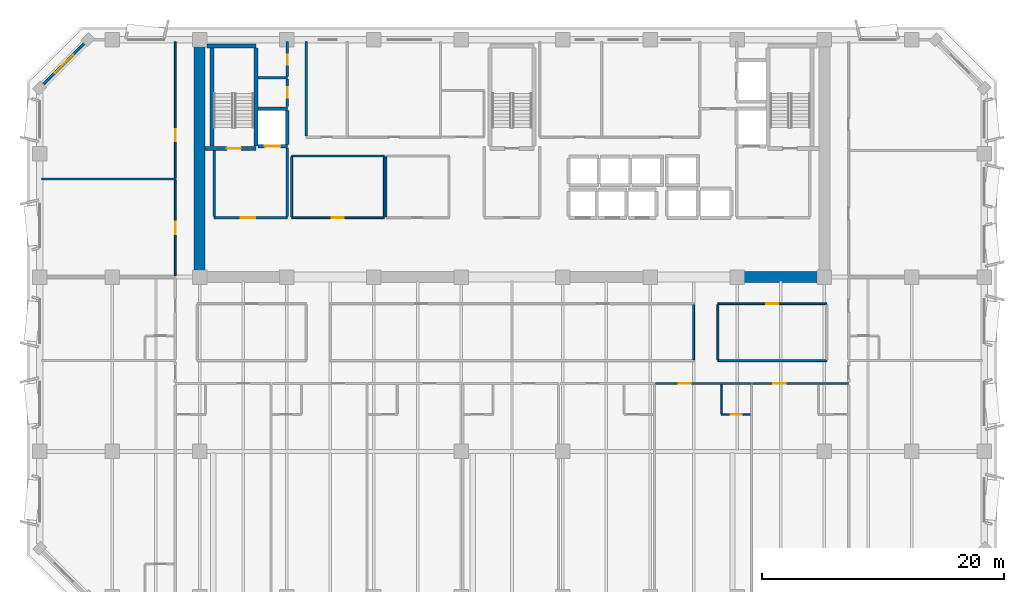
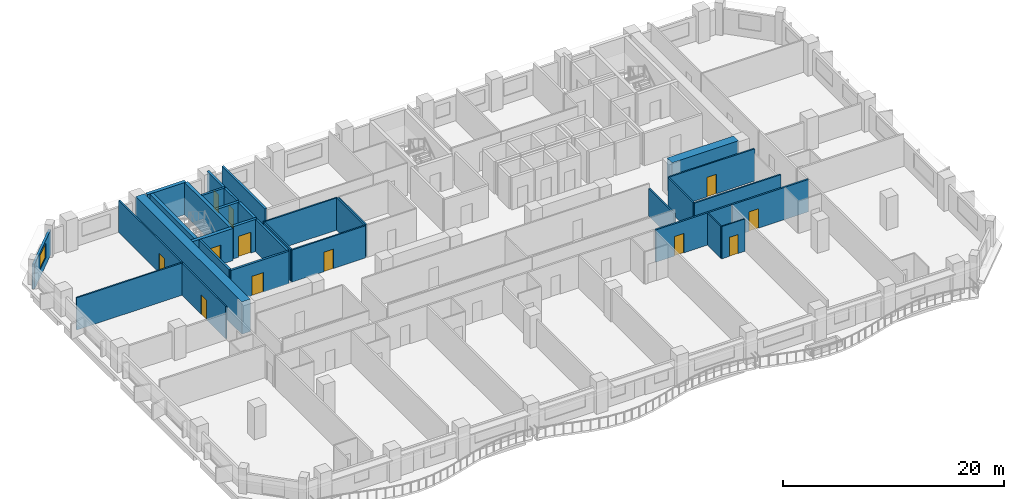
# One storey, part 6 of 15: 33 walls, 12 doors, 1 window, 13 openings.
"""IFC4 building model written with IfcOpenShell, lengths in metres."""

from ifc_helpers import new_model, si_unit, direction, frame, frame_2d, origin, place, context, subcontext, project, spatial, rectangle, extrude, material, layer, layer_set, type_object, element, fill, save


model = new_model("IFC4")

# Units and contexts
model_context = context("Model", 3, precision=1e-05, world=origin(), true_north=direction((0.0, 1.0)))
body_context = subcontext(model_context, "Body", "Model", "MODEL_VIEW")
ifc_project = project(units=[si_unit("LENGTHUNIT", "METRE"), si_unit("AREAUNIT", "SQUARE_METRE"), si_unit("VOLUMEUNIT", "CUBIC_METRE"), si_unit("PLANEANGLEUNIT", "RADIAN"), si_unit("MASSUNIT", "GRAM", prefix="KILO")], contexts=[model_context])

# Site, building, storey
site_placement = place(None, origin())
site = spatial("IfcSite", under=ifc_project, at=site_placement, CompositionType="ELEMENT")
building_placement = place(site_placement, origin())
building = spatial("IfcBuilding", under=site, at=building_placement, Name="Kaelvorn Grand Hotel", CompositionType="ELEMENT")
storey_placement = place(building_placement, frame((0.0, 0.0, 177.14990234375)))
storey = spatial("IfcBuildingStorey", under=building, at=storey_placement, Name="L43", CompositionType="ELEMENT", Elevation=177.14990234375)

# Walls
ifc_material_1 = material(Name="Concrete C60/75", Category="concrete")
ifc_layer_1 = layer(ifc_material_1, 0.89990234375)
ifc_layer_set_1 = layer_set([ifc_layer_1], Name="Concrete C60/75")
wall_type_1 = type_object("IfcWallType", Name="WL-CORE-900-C60", PredefinedType="SHEAR", material=ifc_layer_set_1)
wall_1_placement = place(storey_placement, frame((16.199951171875, 29.39990234375, 0.0), z_axis=(0.0, 0.0, 1.0), x_axis=(0.0, 1.0, 0.0)))
element("IfcWall", 1, at=wall_1_placement, inside=storey, type_object=wall_type_1, Name="L43 Rear-Core West Shear Wall", PredefinedType="SHEAR", context=body_context, shape_type="SweptSolid", body=[
    extrude(rectangle(XDim=19.2001953125, YDim=0.89990234375, at=frame_2d((9.60009765625, 0.0))), origin(), (0.0, 0.0, 1.0), 3.56005859375),
])
wall_2_placement = place(storey_placement, frame((60.39990234375, 29.39990234375, 0.0), z_axis=(0.0, 0.0, 1.0), x_axis=(1.0, 0.0, 0.0)))
element("IfcWall", 2, at=wall_2_placement, inside=storey, type_object=wall_type_1, Name="L43 Rear-Core Coupled Shear Pier S4", PredefinedType="SHEAR", context=body_context, shape_type="SweptSolid", body=[
    extrude(rectangle(XDim=6.945068359375, YDim=0.89990234375, at=frame_2d((3.47265625, 0.0))), origin(), (0.0, 0.0, 1.0), 3.56005859375),
])

# Wall, opening, window
ifc_material_2 = material(Name="Concrete C40/50", Category="concrete")
ifc_layer_2 = layer(ifc_material_2, 0.239990234375)
ifc_layer_set_2 = layer_set([ifc_layer_2], Name="Concrete C40/50")
wall_type_2 = type_object("IfcWallType", Name="WL-EXT-240-C40", PredefinedType="SOLIDWALL", material=ifc_layer_set_2)
wall_3_placement = place(storey_placement, frame((7.0, 49.0, 0.0), z_axis=(0.0, 0.0, 1.0), x_axis=(-0.707106781187, -0.707106781187, 0.0)))
wall_3 = element("IfcWall", 3, at=wall_3_placement, inside=storey, type_object=wall_type_2, Name="L43 Exterior Architectural Concrete Wall 06", PredefinedType="SOLIDWALL", context=body_context, shape_type="SweptSolid", body=[
    extrude(rectangle(XDim=5.65673828125, YDim=0.239990234375, at=frame_2d((2.828369140625, 0.0))), origin(), (0.0, 0.0, 1.0), 2.760009765625),
])
opening_1_placement = place(wall_3_placement, frame((1.7783203125, 0.0, 0.85009765625)))
opening_1 = element("IfcOpeningElement", 4, at=opening_1_placement, cuts=wall_3, Name="Opening W7", PredefinedType="OPENING", context=body_context, shape_type="SweptSolid", body=[
    extrude(rectangle(XDim=2.10009765625, YDim=1.60009765625, at=frame_2d((1.050048828125, 0.800048828125))), frame((0.0, 0.1298828125, 0.0), z_axis=(0.0, -1.0, 0.0), x_axis=(1.0, 0.0, 0.0)), (0.0, 0.0, 1.0), 0.260009765625),
])
ifc_material_3 = material(Name="Laminated Low-E Glass", Category="glass")
window_type = type_object("IfcWindowType", Name="WIN-CHM-2100x1600", PartitioningType="SINGLE_PANEL", PredefinedType="WINDOW", material=ifc_material_3)
window_placement = place(opening_1_placement, origin())
window = element("IfcWindow", 5, at=window_placement, inside=storey, type_object=window_type, Name="L43 Chamfered 45-Degree Corner Window NW", OverallHeight=1.60009765625, OverallWidth=2.10009765625, PartitioningType="SINGLE_PANEL", PredefinedType="WINDOW", context=body_context, shape_type="SweptSolid", body=[
    extrude(rectangle(XDim=2.10009765625, YDim=1.60009765625, at=frame_2d((1.050048828125, 0.800048828125))), frame((0.0, 0.030029296875, 0.0), z_axis=(0.0, -1.0, 0.0), x_axis=(1.0, 0.0, 0.0)), (0.0, 0.0, 1.0), 0.06005859375),
])
fill(opening_1, window)

# Wall, opening, door
ifc_material_4 = material(Name="Moisture-Resistant Tile & Stud Board")
ifc_layer_3 = layer(ifc_material_4, 0.125)
ifc_layer_set_3 = layer_set([ifc_layer_3], Name="Moisture-Resistant Tile & Stud Board")
wall_type_3 = type_object("IfcWallType", Name="WL-PART-125-WET", PredefinedType="PARTITIONING", material=ifc_layer_set_3)
wall_4_placement = place(storey_placement, frame((59.28076171875, 18.050048828125, 0.0), z_axis=(0.0, 0.0, 1.0), x_axis=(1.0, 0.0, 0.0)))
wall_4 = element("IfcWall", 6, at=wall_4_placement, inside=storey, type_object=wall_type_3, Name="L43 En-suite Bathroom L43-06 S Partition", PredefinedType="PARTITIONING", context=body_context, shape_type="SweptSolid", body=[
    extrude(rectangle(XDim=2.405029296875, YDim=0.125, at=frame_2d((1.20263671875, 0.0))), origin(), (0.0, 0.0, 1.0), 3.56005859375),
])
opening_2_placement = place(wall_4_placement, frame((0.800048828125, 0.0, 0.0)))
opening_2 = element("IfcOpeningElement", 7, at=opening_2_placement, cuts=wall_4, Name="Opening DI4", PredefinedType="OPENING", context=body_context, shape_type="SweptSolid", body=[
    extrude(rectangle(XDim=0.89990234375, YDim=2.10009765625, at=frame_2d((0.449951171875, 1.050048828125))), frame((0.0, 0.072509765625, 0.0), z_axis=(0.0, -1.0, 0.0), x_axis=(1.0, 0.0, 0.0)), (0.0, 0.0, 1.0), 0.14501953125),
])
ifc_material_5 = material(Name="Timber Veneer Leaf", Category="wood")
door_type_1 = type_object("IfcDoorType", Name="DR-INT-BATH-900x2100", OperationType="NOTDEFINED", PredefinedType="DOOR", material=ifc_material_5)
door_1_placement = place(opening_2_placement, origin())
door_1 = element("IfcDoor", 8, at=door_1_placement, inside=storey, type_object=door_type_1, Name="L43 En-suite Bathroom L43-06 Door", OperationType="SINGLE_SWING_RIGHT", OverallHeight=2.10009765625, OverallWidth=0.89990234375, PredefinedType="DOOR", context=body_context, shape_type="SweptSolid", body=[
    extrude(rectangle(XDim=0.89990234375, YDim=2.10009765625, at=frame_2d((0.449951171875, 1.050048828125))), frame((0.0, 0.02490234375, 0.0), z_axis=(0.0, -1.0, 0.0), x_axis=(1.0, 0.0, 0.0)), (0.0, 0.0, 1.0), 0.050048828125),
])
fill(opening_2, door_1)

# Walls
wall_5_placement = place(storey_placement, frame((59.28076171875, 18.117431640625, 0.0), z_axis=(0.0, 0.0, 1.0), x_axis=(0.0, 1.0, 0.0)))
element("IfcWall", 9, at=wall_5_placement, inside=storey, type_object=wall_type_3, Name="L43 En-suite Bathroom L43-06 W Partition", PredefinedType="PARTITIONING", context=body_context, shape_type="SweptSolid", body=[
    extrude(rectangle(XDim=2.387451171875, YDim=0.125, at=frame_2d((1.19384765625, 0.0))), origin(), (0.0, 0.0, 1.0), 3.56005859375),
])
ifc_material_6 = material(Name="Acoustic Gypsum & Stud Partition")
ifc_layer_4 = layer(ifc_material_6, 0.14990234375)
ifc_layer_set_4 = layer_set([ifc_layer_4], Name="Acoustic Gypsum & Stud Partition")
wall_type_4 = type_object("IfcWallType", Name="WL-PART-150-EI60", PredefinedType="PARTITIONING", material=ifc_layer_set_4)
wall_6_placement = place(storey_placement, frame((31.60009765625, 34.3798828125, 0.0), z_axis=(0.0, 0.0, 1.0), x_axis=(0.0, 1.0, 0.0)))
element("IfcWall", 10, at=wall_6_placement, inside=storey, type_object=wall_type_4, Name="L43 Core Telecoms & BMS Server Room W Partition", PredefinedType="PARTITIONING", context=body_context, shape_type="SweptSolid", body=[
    extrude(rectangle(XDim=4.940185546875, YDim=0.14990234375, at=frame_2d((2.47021484375, 0.0))), origin(), (0.0, 0.0, 1.0), 3.56005859375),
])

# Wall, opening, door
wall_7_placement = place(storey_placement, frame((23.800048828125, 34.300048828125, 0.0), z_axis=(0.0, 0.0, 1.0), x_axis=(1.0, 0.0, 0.0)))
wall_7 = element("IfcWall", 11, at=wall_7_placement, inside=storey, type_object=wall_type_4, Name="L43 Executive Club Sitting Lounge S Partition", PredefinedType="PARTITIONING", context=body_context, shape_type="SweptSolid", body=[
    extrude(rectangle(XDim=7.64990234375, YDim=0.14990234375, at=frame_2d((3.824951171875, 0.0))), origin(), (0.0, 0.0, 1.0), 3.56005859375),
])
opening_3_placement = place(wall_7_placement, frame((3.300048828125, 0.0, 0.0)))
opening_3 = element("IfcOpeningElement", 12, at=opening_3_placement, cuts=wall_7, Name="Opening DI3", PredefinedType="OPENING", context=body_context, shape_type="SweptSolid", body=[
    extrude(rectangle(XDim=1.0, YDim=2.14990234375, at=frame_2d((0.5, 1.074951171875))), frame((0.0, 0.0849609375, 0.0), z_axis=(0.0, -1.0, 0.0), x_axis=(1.0, 0.0, 0.0)), (0.0, 0.0, 1.0), 0.169921875),
])
ifc_material_7 = material(Name="Timber Veneer Fire Leaf", Category="wood")
door_type_2 = type_object("IfcDoorType", Name="DR-INT-GUEST-1000x2150", OperationType="NOTDEFINED", PredefinedType="DOOR", material=ifc_material_7)
door_2_placement = place(opening_3_placement, origin())
door_2 = element("IfcDoor", 13, at=door_2_placement, inside=storey, type_object=door_type_2, Name="L43 Executive Club Sitting Lounge Door", OperationType="SINGLE_SWING_LEFT", OverallHeight=2.14990234375, OverallWidth=1.0, PredefinedType="DOOR", context=body_context, shape_type="SweptSolid", body=[
    extrude(rectangle(XDim=1.0, YDim=2.14990234375, at=frame_2d((0.5, 1.074951171875))), frame((0.0, 0.02490234375, 0.0), z_axis=(0.0, -1.0, 0.0), x_axis=(1.0, 0.0, 0.0)), (0.0, 0.0, 1.0), 0.050048828125),
])
fill(opening_3, door_2)

# Walls
wall_8_placement = place(storey_placement, frame((23.800048828125, 39.39990234375, 0.0), z_axis=(0.0, 0.0, 1.0), x_axis=(1.0, 0.0, 0.0)))
element("IfcWall", 14, at=wall_8_placement, inside=storey, type_object=wall_type_4, Name="L43 Executive Club Sitting Lounge N Partition", PredefinedType="PARTITIONING", context=body_context, shape_type="SweptSolid", body=[
    extrude(rectangle(XDim=7.64990234375, YDim=0.14990234375, at=frame_2d((3.824951171875, 0.0))), origin(), (0.0, 0.0, 1.0), 3.56005859375),
])
for number, where, z_axis, x_axis, name in (
    (15, (23.800048828125, 34.3798828125, 0.0), (0.0, 0.0, 1.0), (0.0, 1.0, 0.0), "L43 Executive Club Sitting Lounge W Partition"),
    (16, (31.449951171875, 34.3798828125, 0.0), (0.0, 0.0, 1.0), (0.0, 1.0, 0.0), "L43 Executive Club Sitting Lounge E Partition"),
):
    element("IfcWall", number, at=place(storey_placement, frame(where, z_axis=z_axis, x_axis=x_axis)), inside=storey, type_object=wall_type_4, Name=name, PredefinedType="PARTITIONING", context=body_context, shape_type="SweptSolid", body=[
        extrude(rectangle(XDim=4.940185546875, YDim=0.14990234375, at=frame_2d((2.47021484375, 0.0))), origin(), (0.0, 0.0, 1.0), 3.56005859375),
    ])
wall_9_placement = place(storey_placement, frame((57.0, 22.580078125, 0.0), z_axis=(0.0, 0.0, 1.0), x_axis=(0.0, 1.0, 0.0)))
element("IfcWall", 17, at=wall_9_placement, inside=storey, type_object=wall_type_4, Name="L43 Business Meeting Room E Partition", PredefinedType="PARTITIONING", context=body_context, shape_type="SweptSolid", body=[
    extrude(rectangle(XDim=4.5400390625, YDim=0.14990234375, at=frame_2d((2.27001953125, 0.0))), origin(), (0.0, 0.0, 1.0), 3.06005859375),
])
wall_10_placement = place(storey_placement, frame((59.0, 22.5, 0.0), z_axis=(0.0, 0.0, 1.0), x_axis=(1.0, 0.0, 0.0)))
element("IfcWall", 18, at=wall_10_placement, inside=storey, type_object=wall_type_4, Name="L43 Press Briefing Office S Partition", PredefinedType="PARTITIONING", context=body_context, shape_type="SweptSolid", body=[
    extrude(rectangle(XDim=9.0, YDim=0.14990234375, at=frame_2d((4.5, 0.0))), origin(), (0.0, 0.0, 1.0), 3.56005859375),
])

# Wall, opening, door
wall_11_placement = place(storey_placement, frame((59.0, 27.199951171875, 0.0), z_axis=(0.0, 0.0, 1.0), x_axis=(1.0, 0.0, 0.0)))
wall_11 = element("IfcWall", 19, at=wall_11_placement, inside=storey, type_object=wall_type_4, Name="L43 Press Briefing Office N Partition", PredefinedType="PARTITIONING", context=body_context, shape_type="SweptSolid", body=[
    extrude(rectangle(XDim=9.0, YDim=0.14990234375, at=frame_2d((4.5, 0.0))), origin(), (0.0, 0.0, 1.0), 3.56005859375),
])
opening_4_placement = place(wall_11_placement, frame((4.0, 0.0, 0.0)))
opening_4 = element("IfcOpeningElement", 20, at=opening_4_placement, cuts=wall_11, Name="Opening DI3", PredefinedType="OPENING", context=body_context, shape_type="SweptSolid", body=[
    extrude(rectangle(XDim=1.0, YDim=2.14990234375, at=frame_2d((0.5, 1.074951171875))), frame((0.0, 0.0849609375, 0.0), z_axis=(0.0, -1.0, 0.0), x_axis=(1.0, 0.0, 0.0)), (0.0, 0.0, 1.0), 0.169921875),
])
door_3_placement = place(opening_4_placement, origin())
door_3 = element("IfcDoor", 21, at=door_3_placement, inside=storey, type_object=door_type_2, Name="L43 Press Briefing Office Door", OperationType="SINGLE_SWING_RIGHT", OverallHeight=2.14990234375, OverallWidth=1.0, PredefinedType="DOOR", context=body_context, shape_type="SweptSolid", body=[
    extrude(rectangle(XDim=1.0, YDim=2.14990234375, at=frame_2d((0.5, 1.074951171875))), frame((0.0, 0.02490234375, 0.0), z_axis=(0.0, -1.0, 0.0), x_axis=(1.0, 0.0, 0.0)), (0.0, 0.0, 1.0), 0.050048828125),
])
fill(opening_4, door_3)

# Walls
wall_12_placement = place(storey_placement, frame((59.0, 22.580078125, 0.0), z_axis=(0.0, 0.0, 1.0), x_axis=(0.0, 1.0, 0.0)))
element("IfcWall", 22, at=wall_12_placement, inside=storey, type_object=wall_type_4, Name="L43 Press Briefing Office W Partition", PredefinedType="PARTITIONING", context=body_context, shape_type="SweptSolid", body=[
    extrude(rectangle(XDim=4.5400390625, YDim=0.14990234375, at=frame_2d((2.27001953125, 0.0))), origin(), (0.0, 0.0, 1.0), 3.56005859375),
])
wall_13_placement = place(storey_placement, frame((3.14990234375, 37.5, 0.0), z_axis=(0.0, 0.0, 1.0), x_axis=(1.0, 0.0, 0.0)))
element("IfcWall", 23, at=wall_13_placement, inside=storey, type_object=wall_type_4, Name="L43 North-West Private Cinema Lounge N Partition", PredefinedType="PARTITIONING", context=body_context, shape_type="SweptSolid", body=[
    extrude(rectangle(XDim=11.050048828125, YDim=0.14990234375, at=frame_2d((5.52490234375, 0.0))), origin(), (0.0, 0.0, 1.0), 3.56005859375),
])

# Wall, opening, door
wall_14_placement = place(storey_placement, frame((14.199951171875, 29.4951171875, 0.0), z_axis=(0.0, 0.0, 1.0), x_axis=(0.0, 1.0, 0.0)))
wall_14 = element("IfcWall", 24, at=wall_14_placement, inside=storey, type_object=wall_type_4, Name="L43 North-West Private Cinema Lounge E Partition", PredefinedType="PARTITIONING", context=body_context, shape_type="SweptSolid", body=[
    extrude(rectangle(XDim=7.9248046875, YDim=0.14990234375, at=frame_2d((3.96240234375, 0.0))), origin(), (0.0, 0.0, 1.0), 3.56005859375),
])
opening_5_placement = place(wall_14_placement, frame((3.455078125, 0.0, 0.0)))
opening_5 = element("IfcOpeningElement", 25, at=opening_5_placement, cuts=wall_14, Name="Opening DI3", PredefinedType="OPENING", context=body_context, shape_type="SweptSolid", body=[
    extrude(rectangle(XDim=1.0, YDim=2.14990234375, at=frame_2d((0.5, 1.074951171875))), frame((0.0, 0.0849609375, 0.0), z_axis=(0.0, -1.0, 0.0), x_axis=(1.0, 0.0, 0.0)), (0.0, 0.0, 1.0), 0.169921875),
])
door_4_placement = place(opening_5_placement, origin())
door_4 = element("IfcDoor", 26, at=door_4_placement, inside=storey, type_object=door_type_2, Name="L43 North-West Private Cinema Lounge Door", OperationType="SINGLE_SWING_LEFT", OverallHeight=2.14990234375, OverallWidth=1.0, PredefinedType="DOOR", context=body_context, shape_type="SweptSolid", body=[
    extrude(rectangle(XDim=1.0, YDim=2.14990234375, at=frame_2d((0.5, 1.074951171875))), frame((0.0, 0.02490234375, 0.0), z_axis=(0.0, -1.0, 0.0), x_axis=(1.0, 0.0, 0.0)), (0.0, 0.0, 1.0), 0.050048828125),
])
fill(opening_5, door_4)

wall_15_placement = place(storey_placement, frame((14.199951171875, 37.580078125, 0.0), z_axis=(0.0, 0.0, 1.0), x_axis=(0.0, 1.0, 0.0)))
wall_15 = element("IfcWall", 27, at=wall_15_placement, inside=storey, type_object=wall_type_4, Name="L43 North-West Sommelier Wine Bar E Partition", PredefinedType="PARTITIONING", context=body_context, shape_type="SweptSolid", body=[
    extrude(rectangle(XDim=11.27001953125, YDim=0.14990234375, at=frame_2d((5.635009765625, 0.0))), origin(), (0.0, 0.0, 1.0), 3.56005859375),
])
opening_6_placement = place(wall_15_placement, frame((3.02001953125, 0.0, 0.0)))
opening_6 = element("IfcOpeningElement", 28, at=opening_6_placement, cuts=wall_15, Name="Opening DI3", PredefinedType="OPENING", context=body_context, shape_type="SweptSolid", body=[
    extrude(rectangle(XDim=1.0, YDim=2.14990234375, at=frame_2d((0.5, 1.074951171875))), frame((0.0, 0.0849609375, 0.0), z_axis=(0.0, -1.0, 0.0), x_axis=(1.0, 0.0, 0.0)), (0.0, 0.0, 1.0), 0.169921875),
])
door_5_placement = place(opening_6_placement, origin())
door_5 = element("IfcDoor", 29, at=door_5_placement, inside=storey, type_object=door_type_2, Name="L43 North-West Sommelier Wine Bar Door", OperationType="SINGLE_SWING_RIGHT", OverallHeight=2.14990234375, OverallWidth=1.0, PredefinedType="DOOR", context=body_context, shape_type="SweptSolid", body=[
    extrude(rectangle(XDim=1.0, YDim=2.14990234375, at=frame_2d((0.5, 1.074951171875))), frame((0.0, 0.02490234375, 0.0), z_axis=(0.0, -1.0, 0.0), x_axis=(1.0, 0.0, 0.0)), (0.0, 0.0, 1.0), 0.050048828125),
])
fill(opening_6, door_5)

ifc_layer_5 = layer(ifc_material_6, 0.179931640625)
ifc_layer_set_5 = layer_set([ifc_layer_5], Name="Acoustic Gypsum & Stud Partition")
wall_type_5 = type_object("IfcWallType", Name="WL-PART-180-EI60", PredefinedType="PARTITIONING", material=ifc_layer_set_5)
wall_16_placement = place(storey_placement, frame((53.8564453125, 20.60009765625, 0.0), z_axis=(0.0, 0.0, 1.0), x_axis=(1.0, 0.0, 0.0)))
wall_16 = element("IfcWall", 30, at=wall_16_placement, inside=storey, type_object=wall_type_5, Name="L43 Mid-Rise Signature Suite L43-06 N Partition", PredefinedType="PARTITIONING", context=body_context, shape_type="SweptSolid", body=[
    extrude(rectangle(XDim=7.92431640625, YDim=0.179931640625, at=frame_2d((3.962158203125, 0.0))), origin(), (0.0, 0.0, 1.0), 3.56005859375),
])
opening_7_placement = place(wall_16_placement, frame((1.923828125, 0.0, 0.0)))
opening_7 = element("IfcOpeningElement", 31, at=opening_7_placement, cuts=wall_16, Name="Opening DI3", PredefinedType="OPENING", context=body_context, shape_type="SweptSolid", body=[
    extrude(rectangle(XDim=1.0, YDim=2.14990234375, at=frame_2d((0.5, 1.074951171875))), frame((0.0, 0.10009765625, 0.0), z_axis=(0.0, -1.0, 0.0), x_axis=(1.0, 0.0, 0.0)), (0.0, 0.0, 1.0), 0.199951171875),
])
door_6_placement = place(opening_7_placement, origin())
door_6 = element("IfcDoor", 32, at=door_6_placement, inside=storey, type_object=door_type_2, Name="L43 Mid-Rise Signature Suite L43-06 Door", OperationType="SINGLE_SWING_LEFT", OverallHeight=2.14990234375, OverallWidth=1.0, PredefinedType="DOOR", context=body_context, shape_type="SweptSolid", body=[
    extrude(rectangle(XDim=1.0, YDim=2.14990234375, at=frame_2d((0.5, 1.074951171875))), frame((0.0, 0.02490234375, 0.0), z_axis=(0.0, -1.0, 0.0), x_axis=(1.0, 0.0, 0.0)), (0.0, 0.0, 1.0), 0.050048828125),
])
fill(opening_7, door_6)

wall_17_placement = place(storey_placement, frame((61.875732421875, 20.60009765625, 0.0), z_axis=(0.0, 0.0, 1.0), x_axis=(1.0, 0.0, 0.0)))
wall_17 = element("IfcWall", 33, at=wall_17_placement, inside=storey, type_object=wall_type_5, Name="L43 Mid-Rise Signature Suite L43-07 N Partition", PredefinedType="PARTITIONING", context=body_context, shape_type="SweptSolid", body=[
    extrude(rectangle(XDim=7.92431640625, YDim=0.179931640625, at=frame_2d((3.962158203125, 0.0))), origin(), (0.0, 0.0, 1.0), 3.56005859375),
])
opening_8_placement = place(wall_17_placement, frame((1.714599609375, 0.0, 0.0)))
opening_8 = element("IfcOpeningElement", 34, at=opening_8_placement, cuts=wall_17, Name="Opening DI3", PredefinedType="OPENING", context=body_context, shape_type="SweptSolid", body=[
    extrude(rectangle(XDim=1.0, YDim=2.14990234375, at=frame_2d((0.5, 1.074951171875))), frame((0.0, 0.10009765625, 0.0), z_axis=(0.0, -1.0, 0.0), x_axis=(1.0, 0.0, 0.0)), (0.0, 0.0, 1.0), 0.199951171875),
])
door_7_placement = place(opening_8_placement, origin())
door_7 = element("IfcDoor", 35, at=door_7_placement, inside=storey, type_object=door_type_2, Name="L43 Mid-Rise Signature Suite L43-07 Door", OperationType="SINGLE_SWING_LEFT", OverallHeight=2.14990234375, OverallWidth=1.0, PredefinedType="DOOR", context=body_context, shape_type="SweptSolid", body=[
    extrude(rectangle(XDim=1.0, YDim=2.14990234375, at=frame_2d((0.5, 1.074951171875))), frame((0.0, 0.02490234375, 0.0), z_axis=(0.0, -1.0, 0.0), x_axis=(1.0, 0.0, 0.0)), (0.0, 0.0, 1.0), 0.050048828125),
])
fill(opening_8, door_7)

ifc_layer_6 = layer(ifc_material_2, 0.219970703125)
ifc_layer_set_6 = layer_set([ifc_layer_6], Name="Concrete C40/50")
wall_type_6 = type_object("IfcWallType", Name="WL-PART-220-EI120", PredefinedType="PARTITIONING", material=ifc_layer_set_6)
wall_18_placement = place(storey_placement, frame((17.39990234375, 34.300048828125, 0.0), z_axis=(0.0, 0.0, 1.0), x_axis=(1.0, 0.0, 0.0)))
wall_18 = element("IfcWall", 36, at=wall_18_placement, inside=storey, type_object=wall_type_6, Name="L43 Firefighting Lift Lobby 1 S Partition", PredefinedType="PARTITIONING", context=body_context, shape_type="SweptSolid", body=[
    extrude(rectangle(XDim=6.050048828125, YDim=0.219970703125, at=frame_2d((3.02490234375, 0.0))), origin(), (0.0, 0.0, 1.0), 3.56005859375),
])
opening_9_placement = place(wall_18_placement, frame((2.199951171875, 0.0, 0.0)))
opening_9 = element("IfcOpeningElement", 37, at=opening_9_placement, cuts=wall_18, Name="Opening DI2", PredefinedType="OPENING", context=body_context, shape_type="SweptSolid", body=[
    extrude(rectangle(XDim=1.199951171875, YDim=2.14990234375, at=frame_2d((0.60009765625, 1.074951171875))), frame((0.0, 0.1201171875, 0.0), z_axis=(0.0, -1.0, 0.0), x_axis=(1.0, 0.0, 0.0)), (0.0, 0.0, 1.0), 0.239990234375),
])
door_type_3 = type_object("IfcDoorType", Name="DR-INT-FFLOB-1200x2150", OperationType="NOTDEFINED", PredefinedType="DOOR", material=ifc_material_7)
door_8_placement = place(opening_9_placement, origin())
door_8 = element("IfcDoor", 38, at=door_8_placement, inside=storey, type_object=door_type_3, Name="L43 Firefighting Lift Lobby 1 Door", OperationType="SINGLE_SWING_RIGHT", OverallHeight=2.14990234375, OverallWidth=1.199951171875, PredefinedType="DOOR", context=body_context, shape_type="SweptSolid", body=[
    extrude(rectangle(XDim=1.199951171875, YDim=2.14990234375, at=frame_2d((0.60009765625, 1.074951171875))), frame((0.0, 0.02490234375, 0.0), z_axis=(0.0, -1.0, 0.0), x_axis=(1.0, 0.0, 0.0)), (0.0, 0.0, 1.0), 0.050048828125),
])
fill(opening_9, door_8)

# Walls
wall_19_placement = place(storey_placement, frame((17.39990234375, 34.4150390625, 0.0), z_axis=(0.0, 0.0, 1.0), x_axis=(0.0, 1.0, 0.0)))
element("IfcWall", 39, at=wall_19_placement, inside=storey, type_object=wall_type_6, Name="L43 Firefighting Lift Lobby 1 W Partition", PredefinedType="PARTITIONING", context=body_context, shape_type="SweptSolid", body=[
    extrude(rectangle(XDim=5.429931640625, YDim=0.219970703125, at=frame_2d((2.71484375, 0.0))), origin(), (0.0, 0.0, 1.0), 3.56005859375),
])
wall_20_placement = place(storey_placement, frame((23.449951171875, 34.4150390625, 0.0), z_axis=(0.0, 0.0, 1.0), x_axis=(0.0, 1.0, 0.0)))
element("IfcWall", 40, at=wall_20_placement, inside=storey, type_object=wall_type_6, Name="L43 Firefighting Lift Lobby 1 E Partition", PredefinedType="PARTITIONING", context=body_context, shape_type="SweptSolid", body=[
    extrude(rectangle(XDim=5.639892578125, YDim=0.219970703125, at=frame_2d((2.81982421875, 0.0))), origin(), (0.0, 0.0, 1.0), 3.56005859375),
])
wall_21_placement = place(storey_placement, frame((21.034912109375, 45.85009765625, 0.0), z_axis=(0.0, 0.0, 1.0), x_axis=(1.0, 0.0, 0.0)))
element("IfcWall", 41, at=wall_21_placement, inside=storey, type_object=wall_type_6, Name="L43 Wet Fire & Plumbing Riser Shaft N Partition", PredefinedType="PARTITIONING", context=body_context, shape_type="SweptSolid", body=[
    extrude(rectangle(XDim=2.4150390625, YDim=0.219970703125, at=frame_2d((1.20751953125, 0.0))), origin(), (0.0, 0.0, 1.0), 3.56005859375),
])

# Wall, opening, door
wall_22_placement = place(storey_placement, frame((23.449951171875, 43.5, 0.0), z_axis=(0.0, 0.0, 1.0), x_axis=(0.0, 1.0, 0.0)))
wall_22 = element("IfcWall", 42, at=wall_22_placement, inside=storey, type_object=wall_type_6, Name="L43 Wet Fire & Plumbing Riser Shaft E Partition", PredefinedType="PARTITIONING", context=body_context, shape_type="SweptSolid", body=[
    extrude(rectangle(XDim=2.235107421875, YDim=0.219970703125, at=frame_2d((1.11767578125, 0.0))), origin(), (0.0, 0.0, 1.0), 3.56005859375),
])
opening_10_placement = place(wall_22_placement, frame((0.72509765625, 0.0, 0.0)))
opening_10 = element("IfcOpeningElement", 43, at=opening_10_placement, cuts=wall_22, Name="Opening DI7", PredefinedType="OPENING", context=body_context, shape_type="SweptSolid", body=[
    extrude(rectangle(XDim=0.85009765625, YDim=2.10009765625, at=frame_2d((0.425048828125, 1.050048828125))), frame((0.0, 0.1201171875, 0.0), z_axis=(0.0, -1.0, 0.0), x_axis=(1.0, 0.0, 0.0)), (0.0, 0.0, 1.0), 0.239990234375),
])
ifc_material_8 = material(Name="Powder-Coated Steel Leaf", Category="steel")
door_type_4 = type_object("IfcDoorType", Name="DR-INT-RISER-850x2100", OperationType="NOTDEFINED", PredefinedType="DOOR", material=ifc_material_8)
door_9_placement = place(opening_10_placement, origin())
door_9 = element("IfcDoor", 44, at=door_9_placement, inside=storey, type_object=door_type_4, Name="L43 Wet Fire & Plumbing Riser Shaft Door", OperationType="SINGLE_SWING_RIGHT", OverallHeight=2.10009765625, OverallWidth=0.85009765625, PredefinedType="DOOR", context=body_context, shape_type="SweptSolid", body=[
    extrude(rectangle(XDim=0.85009765625, YDim=2.10009765625, at=frame_2d((0.425048828125, 1.050048828125))), frame((0.0, 0.02490234375, 0.0), z_axis=(0.0, -1.0, 0.0), x_axis=(1.0, 0.0, 0.0)), (0.0, 0.0, 1.0), 0.050048828125),
])
fill(opening_10, door_9)

wall_23_placement = place(storey_placement, frame((23.449951171875, 45.965087890625, 0.0), z_axis=(0.0, 0.0, 1.0), x_axis=(0.0, 1.0, 0.0)))
wall_23 = element("IfcWall", 45, at=wall_23_placement, inside=storey, type_object=wall_type_6, Name="L43 HV Electrical & Smoke Riser E Partition", PredefinedType="PARTITIONING", context=body_context, shape_type="SweptSolid", body=[
    extrude(rectangle(XDim=2.885009765625, YDim=0.219970703125, at=frame_2d((1.4423828125, 0.0))), origin(), (0.0, 0.0, 1.0), 3.56005859375),
])
opening_11_placement = place(wall_23_placement, frame((0.9599609375, 0.0, 0.0)))
opening_11 = element("IfcOpeningElement", 46, at=opening_11_placement, cuts=wall_23, Name="Opening DI7", PredefinedType="OPENING", context=body_context, shape_type="SweptSolid", body=[
    extrude(rectangle(XDim=0.85009765625, YDim=2.10009765625, at=frame_2d((0.425048828125, 1.050048828125))), frame((0.0, 0.1201171875, 0.0), z_axis=(0.0, -1.0, 0.0), x_axis=(1.0, 0.0, 0.0)), (0.0, 0.0, 1.0), 0.239990234375),
])
door_10_placement = place(opening_11_placement, origin())
door_10 = element("IfcDoor", 47, at=door_10_placement, inside=storey, type_object=door_type_4, Name="L43 HV Electrical & Smoke Riser Door", OperationType="SINGLE_SWING_LEFT", OverallHeight=2.10009765625, OverallWidth=0.85009765625, PredefinedType="DOOR", context=body_context, shape_type="SweptSolid", body=[
    extrude(rectangle(XDim=0.85009765625, YDim=2.10009765625, at=frame_2d((0.425048828125, 1.050048828125))), frame((0.0, 0.02490234375, 0.0), z_axis=(0.0, -1.0, 0.0), x_axis=(1.0, 0.0, 0.0)), (0.0, 0.0, 1.0), 0.050048828125),
])
fill(opening_11, door_10)

# Wall
wall_24_placement = place(storey_placement, frame((25.0, 41.06494140625, 0.0), z_axis=(0.0, 0.0, 1.0), x_axis=(0.0, 1.0, 0.0)))
element("IfcWall", 48, at=wall_24_placement, inside=storey, type_object=wall_type_6, Name="L43 Electrical Distribution Room W Partition", PredefinedType="PARTITIONING", context=body_context, shape_type="SweptSolid", body=[
    extrude(rectangle(XDim=7.78515625, YDim=0.219970703125, at=frame_2d((3.892578125, 0.0))), origin(), (0.0, 0.0, 1.0), 3.56005859375),
])

# Wall, opening, door
ifc_material_9 = material(Name="Concrete C50/60", Category="concrete")
ifc_layer_7 = layer(ifc_material_9, 0.280029296875)
ifc_layer_set_7 = layer_set([ifc_layer_7], Name="Concrete C50/60")
wall_type_7 = type_object("IfcWallType", Name="WL-SHAFT-280-C50", PredefinedType="SHEAR", material=ifc_layer_set_7)
wall_25_placement = place(storey_placement, frame((21.034912109375, 40.199951171875, 0.0), z_axis=(0.0, 0.0, 1.0), x_axis=(1.0, 0.0, 0.0)))
wall_25 = element("IfcWall", 49, at=wall_25_placement, inside=storey, type_object=wall_type_7, Name="L43 Lift FFL1 Shaft South Wall", PredefinedType="SHEAR", context=body_context, shape_type="SweptSolid", body=[
    extrude(rectangle(XDim=2.4150390625, YDim=0.280029296875, at=frame_2d((1.20751953125, 0.0))), origin(), (0.0, 0.0, 1.0), 3.56005859375),
])
opening_12_placement = place(wall_25_placement, frame((0.5400390625, 0.0, 0.0)))
opening_12 = element("IfcOpeningElement", 50, at=opening_12_placement, cuts=wall_25, Name="Opening LD-FFL1", PredefinedType="OPENING", context=body_context, shape_type="SweptSolid", body=[
    extrude(rectangle(XDim=1.300048828125, YDim=2.300048828125, at=frame_2d((0.64990234375, 1.14990234375))), frame((0.0, 0.14990234375, 0.0), z_axis=(0.0, -1.0, 0.0), x_axis=(1.0, 0.0, 0.0)), (0.0, 0.0, 1.0), 0.300048828125),
])
ifc_material_10 = material(Name="Stainless Steel", Category="steel")
door_type_5 = type_object("IfcDoorType", Name="DR-LIFT-SERV-1300x2300", OperationType="DOUBLE_DOOR_SLIDING", PredefinedType="DOOR", material=ifc_material_10)
door_11_placement = place(opening_12_placement, origin())
door_11 = element("IfcDoor", 51, at=door_11_placement, inside=storey, type_object=door_type_5, Name="L43 Lift FFL1 Sliding Landing Door LD-FFL1", OperationType="DOUBLE_DOOR_SLIDING", OverallHeight=2.300048828125, OverallWidth=1.300048828125, PredefinedType="DOOR", context=body_context, shape_type="SweptSolid", body=[
    extrude(rectangle(XDim=1.300048828125, YDim=2.300048828125, at=frame_2d((0.64990234375, 1.14990234375))), frame((0.0, 0.02490234375, 0.0), z_axis=(0.0, -1.0, 0.0), x_axis=(1.0, 0.0, 0.0)), (0.0, 0.0, 1.0), 0.050048828125),
])
fill(opening_12, door_11)

# Walls
wall_26_placement = place(storey_placement, frame((21.034912109375, 43.300048828125, 0.0), z_axis=(0.0, 0.0, 1.0), x_axis=(1.0, 0.0, 0.0)))
element("IfcWall", 52, at=wall_26_placement, inside=storey, type_object=wall_type_7, Name="L43 Lift FFL1 Shaft North Wall", PredefinedType="SHEAR", context=body_context, shape_type="SweptSolid", body=[
    extrude(rectangle(XDim=2.4150390625, YDim=0.280029296875, at=frame_2d((1.20751953125, 0.0))), origin(), (0.0, 0.0, 1.0), 3.56005859375),
])
wall_27_placement = place(storey_placement, frame((23.449951171875, 40.344970703125, 0.0), z_axis=(0.0, 0.0, 1.0), x_axis=(0.0, 1.0, 0.0)))
element("IfcWall", 53, at=wall_27_placement, inside=storey, type_object=wall_type_7, Name="L43 Lift FFL1 Shaft East Wall", PredefinedType="SHEAR", context=body_context, shape_type="SweptSolid", body=[
    extrude(rectangle(XDim=2.81005859375, YDim=0.280029296875, at=frame_2d((1.405029296875, 0.0))), origin(), (0.0, 0.0, 1.0), 3.56005859375),
])

# Wall, opening, door
ifc_layer_8 = layer(ifc_material_1, 0.35009765625)
ifc_layer_set_8 = layer_set([ifc_layer_8], Name="Concrete C60/75")
wall_type_8 = type_object("IfcWallType", Name="WL-SHAFT-350-C60", PredefinedType="SHEAR", material=ifc_layer_set_8)
wall_28_placement = place(storey_placement, frame((16.655029296875, 40.02490234375, 0.0), z_axis=(0.0, 0.0, 1.0), x_axis=(1.0, 0.0, 0.0)))
wall_28 = element("IfcWall", 54, at=wall_28_placement, inside=storey, type_object=wall_type_8, Name="L43 ST1 Stair Shaft South Wall", PredefinedType="SHEAR", context=body_context, shape_type="SweptSolid", body=[
    extrude(rectangle(XDim=4.199951171875, YDim=0.35009765625, at=frame_2d((2.10009765625, 0.0))), origin(), (0.0, 0.0, 1.0), 3.56005859375),
])
opening_13_placement = place(wall_28_placement, frame((1.81005859375, 0.0, 0.0)))
opening_13 = element("IfcOpeningElement", 55, at=opening_13_placement, cuts=wall_28, Name="Opening DI1", PredefinedType="OPENING", context=body_context, shape_type="SweptSolid", body=[
    extrude(rectangle(XDim=1.14990234375, YDim=2.14990234375, at=frame_2d((0.574951171875, 1.074951171875))), frame((0.0, 0.18505859375, 0.0), z_axis=(0.0, -1.0, 0.0), x_axis=(1.0, 0.0, 0.0)), (0.0, 0.0, 1.0), 0.3701171875),
])
door_type_6 = type_object("IfcDoorType", Name="DR-INT-STAIR-1150x2150", OperationType="NOTDEFINED", PredefinedType="DOOR", material=ifc_material_7)
door_12_placement = place(opening_13_placement, origin())
door_12 = element("IfcDoor", 56, at=door_12_placement, inside=storey, type_object=door_type_6, Name="L43 ST1 Exit Stair Fire Door", OperationType="SINGLE_SWING_LEFT", OverallHeight=2.14990234375, OverallWidth=1.14990234375, PredefinedType="DOOR", context=body_context, shape_type="SweptSolid", body=[
    extrude(rectangle(XDim=1.14990234375, YDim=2.14990234375, at=frame_2d((0.574951171875, 1.074951171875))), frame((0.0, 0.02490234375, 0.0), z_axis=(0.0, -1.0, 0.0), x_axis=(1.0, 0.0, 0.0)), (0.0, 0.0, 1.0), 0.050048828125),
])
fill(opening_13, door_12)

# Walls
wall_29_placement = place(storey_placement, frame((16.804931640625, 48.47509765625, 0.0), z_axis=(0.0, 0.0, 1.0), x_axis=(1.0, 0.0, 0.0)))
element("IfcWall", 57, at=wall_29_placement, inside=storey, type_object=wall_type_8, Name="L43 ST1 Stair Shaft North Wall", PredefinedType="SHEAR", context=body_context, shape_type="SweptSolid", body=[
    extrude(rectangle(XDim=4.050048828125, YDim=0.35009765625, at=frame_2d((2.02490234375, 0.0))), origin(), (0.0, 0.0, 1.0), 3.56005859375),
])
for number, where, z_axis, x_axis, name in (
    (58, (17.22509765625, 40.205078125, 0.0), (0.0, 0.0, 1.0), (0.0, 1.0, 0.0), "L43 ST1 Stair Shaft West Wall"),
    (59, (20.85498046875, 40.205078125, 0.0), (0.0, 0.0, 1.0), (0.0, 1.0, 0.0), "L43 ST1 Stair Shaft East Wall"),
):
    element("IfcWall", number, at=place(storey_placement, frame(where, z_axis=z_axis, x_axis=x_axis)), inside=storey, type_object=wall_type_8, Name=name, PredefinedType="SHEAR", context=body_context, shape_type="SweptSolid", body=[
        extrude(rectangle(XDim=8.08984375, YDim=0.35009765625, at=frame_2d((4.044921875, 0.0))), origin(), (0.0, 0.0, 1.0), 3.56005859375),
    ])

save(model, "model.ifc")
